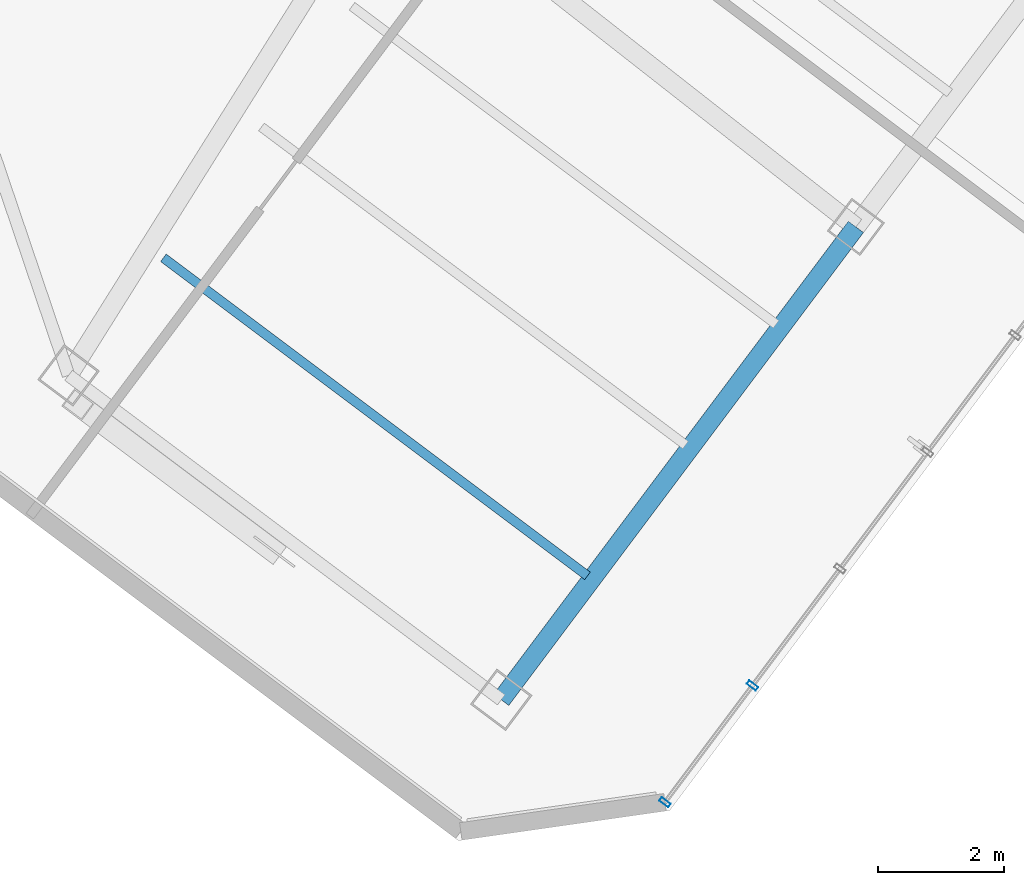
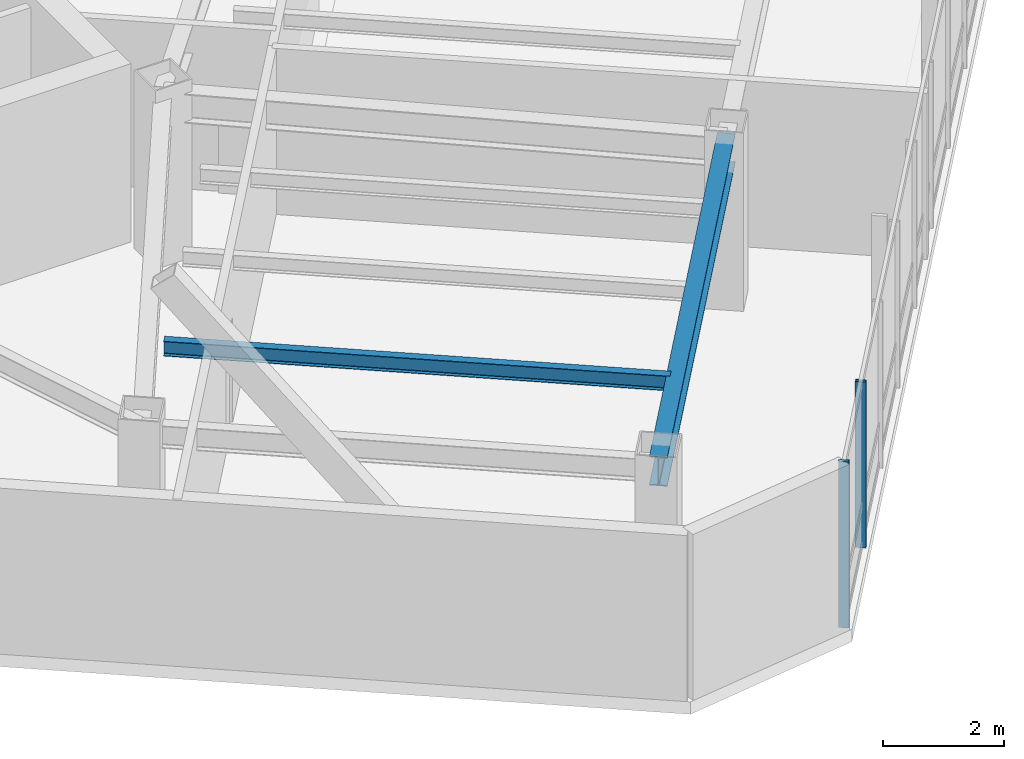
# One storey, part 2 of 25: 2 beams, 2 members, 1 element without a shape of its own.
"""IFC4 building model written with IfcOpenShell, lengths in metres."""

from ifc_helpers import new_model, si_unit, direction, frame, origin, origin_2d, place, context, subcontext, project, spatial, hollow_rectangle, i_section, extrude, material, layer, layer_set, material_profile, profile_set, type_object, element, aggregate, save


model = new_model("IFC4")

# Units and contexts
model_context = context("Model", 3, precision=1e-05, world=origin(), true_north=direction((0.0, 1.0)))
body_context = subcontext(model_context, "Body", "Model", "MODEL_VIEW")
ifc_project = project(units=[si_unit("LENGTHUNIT", "METRE"), si_unit("AREAUNIT", "SQUARE_METRE"), si_unit("VOLUMEUNIT", "CUBIC_METRE"), si_unit("PLANEANGLEUNIT", "RADIAN"), si_unit("MASSUNIT", "GRAM", prefix="KILO")], contexts=[model_context])

# Site, building, storey
site_placement = place(None, origin())
site = spatial("IfcSite", under=ifc_project, at=site_placement, CompositionType="ELEMENT")
building_placement = place(site_placement, origin())
building = spatial("IfcBuilding", under=site, at=building_placement, Name="Hatsunagi Terrace Concourse", CompositionType="ELEMENT")
storey_placement = place(building_placement, frame((0.0, 0.0, 216.75)))
storey = spatial("IfcBuildingStorey", under=building, at=storey_placement, Name="L57", CompositionType="ELEMENT", Elevation=216.75)

# Curtain wall, members
ifc_material_1 = material(Name="Anodised Aluminium Alloy 6063-T5", Category="aluminium")
ifc_layer = layer(ifc_material_1, 0.199951171875)
ifc_layer_set = layer_set([ifc_layer], Name="OfficeZone2_CW04")
curtain_wall_type = type_object("IfcCurtainWallType", Name="OfficeZone2_CW04", PredefinedType="NOTDEFINED", material=ifc_layer_set)
curtain_wall_placement = place(storey_placement, origin())
curtain_wall = element("IfcCurtainWall", 1, at=curtain_wall_placement, inside=storey, type_object=curtain_wall_type, Name="Unitised Curtain Wall CW-04 CW-L57-03", PredefinedType="NOTDEFINED")
ifc_material_2 = material(Name="Anodised Aluminium Alloy 6063-T5", Category="aluminium")
ifc_material_profile_1 = material_profile(ifc_material_2, hollow_rectangle(XDim=0.070068359375, YDim=0.179931640625, WallThickness=0.00390625, at=origin_2d()), Name="ALU-MUL-180x70x4")
ifc_profile_set_1 = profile_set([ifc_material_profile_1], Name="Anodised Aluminium Alloy 6063-T5")
member_type = type_object("IfcMemberType", Name="CurtainWallMullion_180x70", PredefinedType="MULLION", material=ifc_profile_set_1)
member_1_placement = place(storey_placement, frame((49.554931640625, 11.10595703125, 0.0), z_axis=(0.0, 0.0, 1.0), x_axis=(-0.599969314634, -0.800023013105, 0.0)))
member_1 = element("IfcMember", 2, at=member_1_placement, type_object=member_type, Name="Curtain Wall Mullion MUL-02", PredefinedType="MULLION", context=body_context, shape_type="SweptSolid", body=[
    extrude(hollow_rectangle(XDim=0.070068359375, YDim=0.179931640625, WallThickness=0.00390625, at=origin_2d()), origin(), (0.0, 0.0, 1.0), 3.35009765625),
])
member_2_placement = place(storey_placement, frame((48.1630859375, 9.25, 0.0), z_axis=(0.0, 0.0, 1.0), x_axis=(-0.599969314634, -0.800023013105, 0.0)))
member_2 = element("IfcMember", 3, at=member_2_placement, type_object=member_type, Name="Curtain Wall Mullion MUL-02", PredefinedType="MULLION", context=body_context, shape_type="SweptSolid", body=[
    extrude(hollow_rectangle(XDim=0.070068359375, YDim=0.179931640625, WallThickness=0.00390625, at=origin_2d()), origin(), (0.0, 0.0, 1.0), 3.35009765625),
])
aggregate(curtain_wall, [member_1, member_2])

# Beams
ifc_material_3 = material(Name="Steel SN490B", Category="steel")
ifc_material_profile_2 = material_profile(ifc_material_3, i_section(OverallWidth=0.300048828125, OverallDepth=0.587890625, WebThickness=0.011962890625, FlangeThickness=0.02001953125, FilletRadius=0.01806640625, at=origin_2d()), Name="H-588x300x12x20")
ifc_profile_set_2 = profile_set([ifc_material_profile_2], Name="Steel SN490B")
beam_type_1 = type_object("IfcBeamType", Name="OfficeHighGirder_H_588x300", PredefinedType="BEAM", material=ifc_profile_set_2)
beam_1_placement = place(storey_placement, frame((45.56005859375, 10.8798828125, 3.055908203125), z_axis=(0.599991688754, 0.800006233367, 0.0), x_axis=(-0.800006233367, 0.599991688754, 0.0)))
element("IfcBeam", 4, at=beam_1_placement, inside=storey, type_object=beam_type_1, Name="Beam G-06 BM-L57-SET-2A", PredefinedType="BEAM", context=body_context, shape_type="SweptSolid", body=[
    extrude(i_section(OverallWidth=0.300048828125, OverallDepth=0.587890625, WebThickness=0.011962890625, FlangeThickness=0.02001953125, FilletRadius=0.01806640625, at=origin_2d()), origin(), (0.0, 0.0, 1.0), 9.39990234375),
])
ifc_material_4 = material(Name="Steel SN490B", Category="steel")
ifc_material_profile_3 = material_profile(ifc_material_4, i_section(OverallWidth=0.14990234375, OverallDepth=0.300048828125, WebThickness=0.006591796875, FlangeThickness=0.009033203125, FilletRadius=0.010986328125, at=origin_2d()), Name="H-300x150x6.5x9")
ifc_profile_set_3 = profile_set([ifc_material_profile_3], Name="Steel SN490B")
beam_type_2 = type_object("IfcBeamType", Name="OfficeJoist_H_300x150", PredefinedType="JOIST", material=ifc_profile_set_3)
beam_2_placement = place(storey_placement, frame((40.18798828125, 17.908935546875, 3.199951171875), z_axis=(0.800003475366, -0.59999536615, 0.0), x_axis=(0.59999536615, 0.800003475366, 0.0)))
element("IfcBeam", 5, at=beam_2_placement, inside=storey, type_object=beam_type_2, Name="Beam J-03 J-L57-SE-2-46", PredefinedType="JOIST", context=body_context, shape_type="SweptSolid", body=[
    extrude(i_section(OverallWidth=0.14990234375, OverallDepth=0.300048828125, WebThickness=0.006591796875, FlangeThickness=0.009033203125, FilletRadius=0.010986328125, at=origin_2d()), origin(), (0.0, 0.0, 1.0), 8.429931640625),
])

save(model, "model.ifc")
